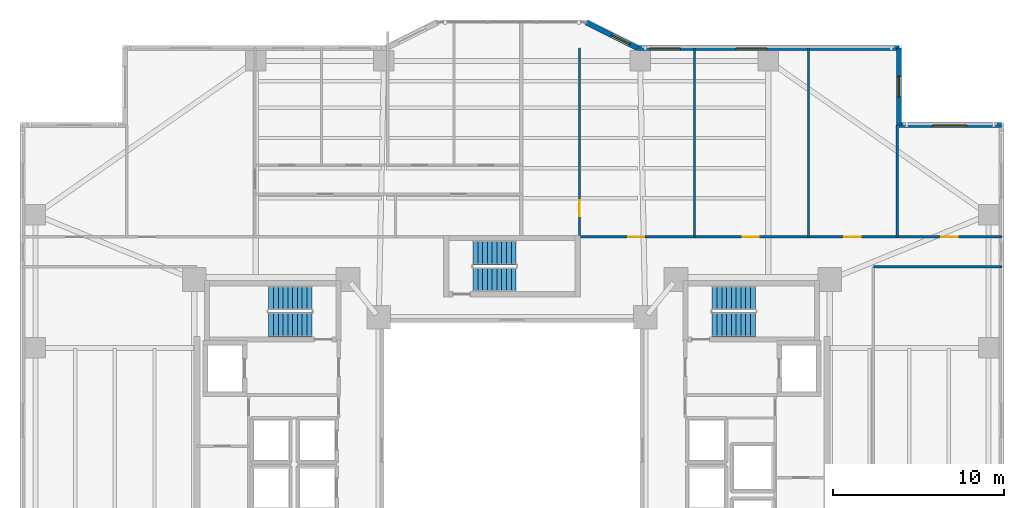
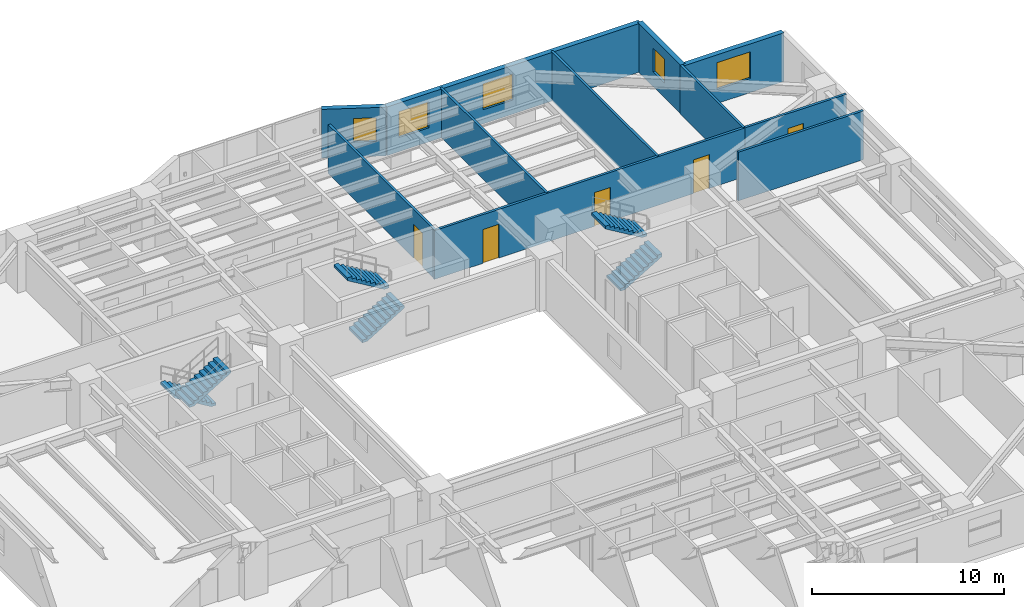
# One storey, part 14 of 19: 11 walls, 6 stair flights, 5 doors, 5 windows, 10 openings, 3 elements without a shape of their own.
"""IFC4 building model written with IfcOpenShell, lengths in metres."""

from ifc_helpers import new_model, si_unit, direction, frame, frame_2d, origin, place, context, subcontext, project, spatial, polyline, rectangle, outline, extrude, material, layer, layer_set, type_object, element, fill, aggregate, save


model = new_model("IFC4")

# Units and contexts
model_context = context("Model", 3, precision=1e-05, world=origin(), true_north=direction((0.0, 1.0)))
body_context = subcontext(model_context, "Body", "Model", "MODEL_VIEW")
ifc_project = project(units=[si_unit("LENGTHUNIT", "METRE"), si_unit("AREAUNIT", "SQUARE_METRE"), si_unit("VOLUMEUNIT", "CUBIC_METRE"), si_unit("PLANEANGLEUNIT", "RADIAN"), si_unit("MASSUNIT", "GRAM", prefix="KILO")], contexts=[model_context])

# Site, building, storey
site_placement = place(None, origin())
site = spatial("IfcSite", under=ifc_project, at=site_placement, CompositionType="ELEMENT")
building_placement = place(site_placement, origin())
building = spatial("IfcBuilding", under=site, at=building_placement, Name="Tarnavaz Court Tower", CompositionType="ELEMENT")
storey_placement = place(building_placement, frame((0.0, 0.0, 50.800048828125)))
storey = spatial("IfcBuildingStorey", under=building, at=storey_placement, Name="L13", CompositionType="ELEMENT", Elevation=50.800048828125)

# Wall, opening, window
ifc_material_1 = material(Name="Precast Concrete C40/50", Category="concrete")
ifc_layer_1 = layer(ifc_material_1, 0.300048828125)
ifc_layer_set_1 = layer_set([ifc_layer_1], Name="Precast Concrete C40/50")
wall_type_1 = type_object("IfcWallType", Name="WL-EXT-300", PredefinedType="SOLIDWALL", material=ifc_layer_set_1)
wall_1_placement = place(storey_placement, frame((4.35009765625, 25.050048828125, 0.0), z_axis=(0.0, 0.0, 1.0), x_axis=(0.894427191, -0.4472135955, 0.0)))
wall_1 = element("IfcWall", 1, at=wall_1_placement, inside=storey, type_object=wall_type_1, Name="L13 Exterior Terracotta Facade Wall 08", PredefinedType="SOLIDWALL", context=body_context, shape_type="SweptSolid", body=[
    extrude(rectangle(XDim=3.35400390625, YDim=0.300048828125, at=frame_2d((1.677001953125, 0.0))), origin(), (0.0, 0.0, 1.0), 3.099853515625),
])
opening_1_placement = place(wall_1_placement, frame((1.65283203125, 0.0, 0.949951171875)))
opening_1 = element("IfcOpeningElement", 2, at=opening_1_placement, cuts=wall_1, Name="Opening W05", PredefinedType="OPENING", context=body_context, shape_type="SweptSolid", body=[
    extrude(rectangle(XDim=1.199951171875, YDim=1.5, at=frame_2d((0.60009765625, 0.75))), frame((0.0, 0.159912109375, 0.0), z_axis=(0.0, -1.0, 0.0), x_axis=(1.0, 0.0, 0.0)), (0.0, 0.0, 1.0), 0.320068359375),
])
ifc_material_2 = material(Name="Double-Glazed Solar Low-E Glass", Category="glass")
window_type_1 = type_object("IfcWindowType", Name="WN-APT-1200", PartitioningType="SINGLE_PANEL", PredefinedType="WINDOW", material=ifc_material_2)
window_1_placement = place(opening_1_placement, origin())
window_1 = element("IfcWindow", 3, at=window_1_placement, inside=storey, type_object=window_type_1, Name="L13 Resident Community Meeting Room Window", OverallHeight=1.5, OverallWidth=1.199951171875, PartitioningType="SINGLE_PANEL", PredefinedType="WINDOW", context=body_context, shape_type="SweptSolid", body=[
    extrude(rectangle(XDim=1.199951171875, YDim=1.5, at=frame_2d((0.60009765625, 0.75))), frame((0.0, 0.030029296875, 0.0), z_axis=(0.0, -1.0, 0.0), x_axis=(1.0, 0.0, 0.0)), (0.0, 0.0, 1.0), 0.06005859375),
])
fill(opening_1, window_1)

# Wall, openings, windows
wall_2_placement = place(storey_placement, frame((7.35009765625, 23.550048828125, 0.0), z_axis=(0.0, 0.0, 1.0), x_axis=(1.0, 0.0, 0.0)))
wall_2 = element("IfcWall", 4, at=wall_2_placement, inside=storey, type_object=wall_type_1, Name="L13 Exterior Terracotta Facade Wall 09", PredefinedType="SOLIDWALL", context=body_context, shape_type="SweptSolid", body=[
    extrude(rectangle(XDim=15.2998046875, YDim=0.300048828125, at=frame_2d((7.64990234375, 0.0))), origin(), (0.0, 0.0, 1.0), 3.099853515625),
])
opening_2_placement = place(wall_2_placement, frame((0.705078125, 0.0, 0.89990234375)))
opening_2 = element("IfcOpeningElement", 5, at=opening_2_placement, cuts=wall_2, Name="Opening W01", PredefinedType="OPENING", context=body_context, shape_type="SweptSolid", body=[
    extrude(rectangle(XDim=1.800048828125, YDim=1.64990234375, at=frame_2d((0.89990234375, 0.824951171875))), frame((0.0, 0.159912109375, 0.0), z_axis=(0.0, -1.0, 0.0), x_axis=(1.0, 0.0, 0.0)), (0.0, 0.0, 1.0), 0.320068359375),
])
opening_3_placement = place(wall_2_placement, frame((5.771728515625, 0.0, 0.89990234375)))
opening_3 = element("IfcOpeningElement", 6, at=opening_3_placement, cuts=wall_2, Name="Opening W01", PredefinedType="OPENING", context=body_context, shape_type="SweptSolid", body=[
    extrude(rectangle(XDim=1.800048828125, YDim=1.64990234375, at=frame_2d((0.89990234375, 0.824951171875))), frame((0.0, 0.159912109375, 0.0), z_axis=(0.0, -1.0, 0.0), x_axis=(1.0, 0.0, 0.0)), (0.0, 0.0, 1.0), 0.320068359375),
])
window_type_2 = type_object("IfcWindowType", Name="WN-APT-1800", PartitioningType="DOUBLE_PANEL_VERTICAL", PredefinedType="WINDOW", material=ifc_material_2)
window_2_placement = place(opening_2_placement, origin())
window_2 = element("IfcWindow", 7, at=window_2_placement, inside=storey, type_object=window_type_2, Name="L13 Resident Community Meeting Room Window", OverallHeight=1.64990234375, OverallWidth=1.800048828125, PartitioningType="SINGLE_PANEL", PredefinedType="WINDOW", context=body_context, shape_type="SweptSolid", body=[
    extrude(rectangle(XDim=1.800048828125, YDim=1.64990234375, at=frame_2d((0.89990234375, 0.824951171875))), frame((0.0, 0.030029296875, 0.0), z_axis=(0.0, -1.0, 0.0), x_axis=(1.0, 0.0, 0.0)), (0.0, 0.0, 1.0), 0.06005859375),
])
fill(opening_2, window_2)
window_3_placement = place(opening_3_placement, origin())
window_3 = element("IfcWindow", 8, at=window_3_placement, inside=storey, type_object=window_type_2, Name="L13 Craft and Maker Workshop Room Window", OverallHeight=1.64990234375, OverallWidth=1.800048828125, PartitioningType="SINGLE_PANEL", PredefinedType="WINDOW", context=body_context, shape_type="SweptSolid", body=[
    extrude(rectangle(XDim=1.800048828125, YDim=1.64990234375, at=frame_2d((0.89990234375, 0.824951171875))), frame((0.0, 0.030029296875, 0.0), z_axis=(0.0, -1.0, 0.0), x_axis=(1.0, 0.0, 0.0)), (0.0, 0.0, 1.0), 0.06005859375),
])
fill(opening_3, window_3)

# Wall, opening, window
wall_3_placement = place(storey_placement, frame((22.64990234375, 23.550048828125, 0.0), z_axis=(0.0, 0.0, 1.0), x_axis=(0.0, -1.0, 0.0)))
wall_3 = element("IfcWall", 9, at=wall_3_placement, inside=storey, type_object=wall_type_1, Name="L13 Exterior Terracotta Facade Wall 10", PredefinedType="SOLIDWALL", context=body_context, shape_type="SweptSolid", body=[
    extrude(rectangle(XDim=4.5, YDim=0.300048828125, at=frame_2d((2.25, 0.0))), origin(), (0.0, 0.0, 1.0), 3.099853515625),
])
opening_4_placement = place(wall_3_placement, frame((1.64990234375, 0.0, 0.949951171875)))
opening_4 = element("IfcOpeningElement", 10, at=opening_4_placement, cuts=wall_3, Name="Opening W05", PredefinedType="OPENING", context=body_context, shape_type="SweptSolid", body=[
    extrude(rectangle(XDim=1.199951171875, YDim=1.5, at=frame_2d((0.60009765625, 0.75))), frame((0.0, 0.159912109375, 0.0), z_axis=(0.0, -1.0, 0.0), x_axis=(1.0, 0.0, 0.0)), (0.0, 0.0, 1.0), 0.320068359375),
])
window_4_placement = place(opening_4_placement, origin())
window_4 = element("IfcWindow", 11, at=window_4_placement, inside=storey, type_object=window_type_1, Name="L13 Prow Cheek Bedroom Window 10", OverallHeight=1.5, OverallWidth=1.199951171875, PartitioningType="SINGLE_PANEL", PredefinedType="WINDOW", context=body_context, shape_type="SweptSolid", body=[
    extrude(rectangle(XDim=1.199951171875, YDim=1.5, at=frame_2d((0.60009765625, 0.75))), frame((0.0, 0.030029296875, 0.0), z_axis=(0.0, -1.0, 0.0), x_axis=(1.0, 0.0, 0.0)), (0.0, 0.0, 1.0), 0.06005859375),
])
fill(opening_4, window_4)

wall_4_placement = place(storey_placement, frame((22.64990234375, 19.050048828125, 0.0), z_axis=(0.0, 0.0, 1.0), x_axis=(1.0, 0.0, 0.0)))
wall_4 = element("IfcWall", 12, at=wall_4_placement, inside=storey, type_object=wall_type_1, Name="L13 Exterior Terracotta Facade Wall 11", PredefinedType="SOLIDWALL", context=body_context, shape_type="SweptSolid", body=[
    extrude(rectangle(XDim=6.0, YDim=0.300048828125, at=frame_2d((3.0, 0.0))), origin(), (0.0, 0.0, 1.0), 3.099853515625),
])
opening_5_placement = place(wall_4_placement, frame((1.97509765625, 0.0, 0.89990234375)))
opening_5 = element("IfcOpeningElement", 13, at=opening_5_placement, cuts=wall_4, Name="Opening W08", PredefinedType="OPENING", context=body_context, shape_type="SweptSolid", body=[
    extrude(rectangle(XDim=2.0, YDim=1.699951171875, at=frame_2d((1.0, 0.85009765625))), frame((0.0, 0.159912109375, 0.0), z_axis=(0.0, -1.0, 0.0), x_axis=(1.0, 0.0, 0.0)), (0.0, 0.0, 1.0), 0.320068359375),
])
window_type_3 = type_object("IfcWindowType", Name="WN-APT-2000", PartitioningType="DOUBLE_PANEL_VERTICAL", PredefinedType="WINDOW", material=ifc_material_2)
window_5_placement = place(opening_5_placement, origin())
window_5 = element("IfcWindow", 14, at=window_5_placement, inside=storey, type_object=window_type_3, Name="L13 North-East Corner Sunroom Study Window", OverallHeight=1.699951171875, OverallWidth=2.0, PartitioningType="SINGLE_PANEL", PredefinedType="WINDOW", context=body_context, shape_type="SweptSolid", body=[
    extrude(rectangle(XDim=2.0, YDim=1.699951171875, at=frame_2d((1.0, 0.85009765625))), frame((0.0, 0.030029296875, 0.0), z_axis=(0.0, -1.0, 0.0), x_axis=(1.0, 0.0, 0.0)), (0.0, 0.0, 1.0), 0.06005859375),
])
fill(opening_5, window_5)

# Wall, openings, doors
ifc_material_3 = material(Name="Gypsum Fire-Board on Acoustic Metal Stud", Category="masonry")
ifc_layer_2 = layer(ifc_material_3, 0.14990234375)
ifc_layer_set_2 = layer_set([ifc_layer_2], Name="Gypsum Fire-Board on Acoustic Metal Stud")
wall_type_2 = type_object("IfcWallType", Name="WL-FIRE-150", PredefinedType="PARTITIONING", material=ifc_layer_set_2)
wall_5_placement = place(storey_placement, frame((3.85009765625, 12.5, 0.0), z_axis=(0.0, 0.0, 1.0), x_axis=(1.0, 0.0, 0.0)))
wall_5 = element("IfcWall", 15, at=wall_5_placement, inside=storey, type_object=wall_type_2, Name="L13 NE Wing Corridor Wall 082", PredefinedType="PARTITIONING", context=body_context, shape_type="SweptSolid", body=[
    extrude(rectangle(XDim=18.699951171875, YDim=0.14990234375, at=frame_2d((9.35009765625, 0.0))), origin(), (0.0, 0.0, 1.0), 3.099853515625),
])
opening_6_placement = place(wall_5_placement, frame((2.94189453125, 0.0, 0.0)))
opening_6 = element("IfcOpeningElement", 16, at=opening_6_placement, cuts=wall_5, Name="Opening D13", PredefinedType="OPENING", context=body_context, shape_type="SweptSolid", body=[
    extrude(rectangle(XDim=0.949951171875, YDim=2.14990234375, at=frame_2d((0.47509765625, 1.074951171875))), frame((0.0, 0.0849609375, 0.0), z_axis=(0.0, -1.0, 0.0), x_axis=(1.0, 0.0, 0.0)), (0.0, 0.0, 1.0), 0.169921875),
])
opening_7_placement = place(wall_5_placement, frame((9.64697265625, 0.0, 0.0)))
opening_7 = element("IfcOpeningElement", 17, at=opening_7_placement, cuts=wall_5, Name="Opening D13", PredefinedType="OPENING", context=body_context, shape_type="SweptSolid", body=[
    extrude(rectangle(XDim=0.949951171875, YDim=2.14990234375, at=frame_2d((0.47509765625, 1.074951171875))), frame((0.0, 0.0849609375, 0.0), z_axis=(0.0, -1.0, 0.0), x_axis=(1.0, 0.0, 0.0)), (0.0, 0.0, 1.0), 0.169921875),
])
opening_8_placement = place(wall_5_placement, frame((15.610107421875, 0.0, 0.0)))
opening_8 = element("IfcOpeningElement", 18, at=opening_8_placement, cuts=wall_5, Name="Opening D13", PredefinedType="OPENING", context=body_context, shape_type="SweptSolid", body=[
    extrude(rectangle(XDim=0.949951171875, YDim=2.14990234375, at=frame_2d((0.47509765625, 1.074951171875))), frame((0.0, 0.0849609375, 0.0), z_axis=(0.0, -1.0, 0.0), x_axis=(1.0, 0.0, 0.0)), (0.0, 0.0, 1.0), 0.169921875),
])
ifc_material_4 = material(Name="Engineered Oak Timber", Category="wood")
door_type = type_object("IfcDoorType", Name="DR-INT-950", OperationType="NOTDEFINED", PredefinedType="DOOR", material=ifc_material_4)
door_1_placement = place(opening_6_placement, origin())
door_1 = element("IfcDoor", 19, at=door_1_placement, inside=storey, type_object=door_type, Name="L13 Resident Community Meeting Room Door", OperationType="SINGLE_SWING_LEFT", OverallHeight=2.14990234375, OverallWidth=0.949951171875, PredefinedType="DOOR", context=body_context, shape_type="SweptSolid", body=[
    extrude(rectangle(XDim=0.949951171875, YDim=2.14990234375, at=frame_2d((0.47509765625, 1.074951171875))), frame((0.0, 0.02490234375, 0.0), z_axis=(0.0, -1.0, 0.0), x_axis=(1.0, 0.0, 0.0)), (0.0, 0.0, 1.0), 0.050048828125),
])
fill(opening_6, door_1)
door_2_placement = place(opening_7_placement, origin())
door_2 = element("IfcDoor", 20, at=door_2_placement, inside=storey, type_object=door_type, Name="L13 Craft and Maker Workshop Room Door", OperationType="SINGLE_SWING_RIGHT", OverallHeight=2.14990234375, OverallWidth=0.949951171875, PredefinedType="DOOR", context=body_context, shape_type="SweptSolid", body=[
    extrude(rectangle(XDim=0.949951171875, YDim=2.14990234375, at=frame_2d((0.47509765625, 1.074951171875))), frame((0.0, 0.02490234375, 0.0), z_axis=(0.0, -1.0, 0.0), x_axis=(1.0, 0.0, 0.0)), (0.0, 0.0, 1.0), 0.050048828125),
])
fill(opening_7, door_2)
door_3_placement = place(opening_8_placement, origin())
door_3 = element("IfcDoor", 21, at=door_3_placement, inside=storey, type_object=door_type, Name="L13 Accessible Washroom WC Door", OperationType="SINGLE_SWING_LEFT", OverallHeight=2.14990234375, OverallWidth=0.949951171875, PredefinedType="DOOR", context=body_context, shape_type="SweptSolid", body=[
    extrude(rectangle(XDim=0.949951171875, YDim=2.14990234375, at=frame_2d((0.47509765625, 1.074951171875))), frame((0.0, 0.02490234375, 0.0), z_axis=(0.0, -1.0, 0.0), x_axis=(1.0, 0.0, 0.0)), (0.0, 0.0, 1.0), 0.050048828125),
])
fill(opening_8, door_3)

# Wall
wall_6_placement = place(storey_placement, frame((21.14990234375, 10.75, 0.0), z_axis=(0.0, 0.0, 1.0), x_axis=(1.0, 0.0, 0.0)))
element("IfcWall", 22, at=wall_6_placement, inside=storey, type_object=wall_type_2, Name="L13 Interior Partition 115", PredefinedType="PARTITIONING", context=body_context, shape_type="SweptSolid", body=[
    extrude(rectangle(XDim=7.530029296875, YDim=0.14990234375, at=frame_2d((3.76513671875, 0.0))), origin(), (0.0, 0.0, 1.0), 3.099853515625),
])

# Wall, opening, door
wall_7_placement = place(storey_placement, frame((22.550048828125, 12.5, 0.0), z_axis=(0.0, 0.0, 1.0), x_axis=(1.0, 0.0, 0.0)))
wall_7 = element("IfcWall", 23, at=wall_7_placement, inside=storey, type_object=wall_type_2, Name="L13 Interior Partition 121", PredefinedType="PARTITIONING", context=body_context, shape_type="SweptSolid", body=[
    extrude(rectangle(XDim=6.1298828125, YDim=0.14990234375, at=frame_2d((3.06494140625, 0.0))), origin(), (0.0, 0.0, 1.0), 3.099853515625),
])
opening_9_placement = place(wall_7_placement, frame((2.590087890625, 0.0, 0.0)))
opening_9 = element("IfcOpeningElement", 24, at=opening_9_placement, cuts=wall_7, Name="Opening D13", PredefinedType="OPENING", context=body_context, shape_type="SweptSolid", body=[
    extrude(rectangle(XDim=0.949951171875, YDim=2.14990234375, at=frame_2d((0.47509765625, 1.074951171875))), frame((0.0, 0.0849609375, 0.0), z_axis=(0.0, -1.0, 0.0), x_axis=(1.0, 0.0, 0.0)), (0.0, 0.0, 1.0), 0.169921875),
])
door_4_placement = place(opening_9_placement, origin())
door_4 = element("IfcDoor", 25, at=door_4_placement, inside=storey, type_object=door_type, Name="L13 NE Sunroom Door", OperationType="SINGLE_SWING_LEFT", OverallHeight=2.14990234375, OverallWidth=0.949951171875, PredefinedType="DOOR", context=body_context, shape_type="SweptSolid", body=[
    extrude(rectangle(XDim=0.949951171875, YDim=2.14990234375, at=frame_2d((0.47509765625, 1.074951171875))), frame((0.0, 0.02490234375, 0.0), z_axis=(0.0, -1.0, 0.0), x_axis=(1.0, 0.0, 0.0)), (0.0, 0.0, 1.0), 0.050048828125),
])
fill(opening_9, door_4)

ifc_material_5 = material(Name="Gypsum Plasterboard Acoustic Partition", Category="masonry")
ifc_layer_3 = layer(ifc_material_5, 0.139892578125)
ifc_layer_set_3 = layer_set([ifc_layer_3], Name="Gypsum Plasterboard Acoustic Partition")
wall_type_3 = type_object("IfcWallType", Name="WL-PART-150", PredefinedType="PARTITIONING", material=ifc_layer_set_3)
wall_8_placement = place(storey_placement, frame((3.949951171875, 12.5, 0.0), z_axis=(0.0, 0.0, 1.0), x_axis=(0.0, 1.0, 0.0)))
wall_8 = element("IfcWall", 26, at=wall_8_placement, inside=storey, type_object=wall_type_3, Name="L13 Interior Partition 096", PredefinedType="PARTITIONING", context=body_context, shape_type="SweptSolid", body=[
    extrude(rectangle(XDim=11.050048828125, YDim=0.139892578125, at=frame_2d((5.52490234375, 0.0))), origin(), (0.0, 0.0, 1.0), 3.099853515625),
])
opening_10_placement = place(wall_8_placement, frame((1.199951171875, 0.0, 0.0)))
opening_10 = element("IfcOpeningElement", 27, at=opening_10_placement, cuts=wall_8, Name="Opening D13", PredefinedType="OPENING", context=body_context, shape_type="SweptSolid", body=[
    extrude(rectangle(XDim=0.949951171875, YDim=2.14990234375, at=frame_2d((0.47509765625, 1.074951171875))), frame((0.0, 0.079833984375, 0.0), z_axis=(0.0, -1.0, 0.0), x_axis=(1.0, 0.0, 0.0)), (0.0, 0.0, 1.0), 0.159912109375),
])
door_5_placement = place(opening_10_placement, origin())
door_5 = element("IfcDoor", 28, at=door_5_placement, inside=storey, type_object=door_type, Name="L13 NE Iwan Reading Door", OperationType="SINGLE_SWING_RIGHT", OverallHeight=2.14990234375, OverallWidth=0.949951171875, PredefinedType="DOOR", context=body_context, shape_type="SweptSolid", body=[
    extrude(rectangle(XDim=0.949951171875, YDim=2.14990234375, at=frame_2d((0.47509765625, 1.074951171875))), frame((0.0, 0.02490234375, 0.0), z_axis=(0.0, -1.0, 0.0), x_axis=(1.0, 0.0, 0.0)), (0.0, 0.0, 1.0), 0.050048828125),
])
fill(opening_10, door_5)

# Walls
for number, where, z_axis, x_axis, name in (
    (29, (10.68408203125, 12.5, 0.0), (0.0, 0.0, 1.0), (0.0, 1.0, 0.0), "L13 Interior Partition 097"),
    (30, (17.35888671875, 12.5, 0.0), (0.0, 0.0, 1.0), (0.0, 1.0, 0.0), "L13 Interior Partition 098"),
):
    element("IfcWall", number, at=place(storey_placement, frame(where, z_axis=z_axis, x_axis=x_axis)), inside=storey, type_object=wall_type_3, Name=name, PredefinedType="PARTITIONING", context=body_context, shape_type="SweptSolid", body=[
        extrude(rectangle(XDim=11.050048828125, YDim=0.139892578125, at=frame_2d((5.52490234375, 0.0))), origin(), (0.0, 0.0, 1.0), 3.099853515625),
    ])
wall_9_placement = place(storey_placement, frame((22.550048828125, 12.5, 0.0), z_axis=(0.0, 0.0, 1.0), x_axis=(0.0, 1.0, 0.0)))
element("IfcWall", 31, at=wall_9_placement, inside=storey, type_object=wall_type_3, Name="L13 Interior Partition 119", PredefinedType="PARTITIONING", context=body_context, shape_type="SweptSolid", body=[
    extrude(rectangle(XDim=6.550048828125, YDim=0.139892578125, at=frame_2d((3.27490234375, 0.0))), origin(), (0.0, 0.0, 1.0), 3.099853515625),
])

# Stair, stair flights
ifc_material_6 = material(Name="Concrete C40/50", Category="concrete")
stair_type = type_object("IfcStairType", Name="ST-TWR-20R", PredefinedType="HALF_TURN_STAIR", material=ifc_material_6)
stair_1_placement = place(storey_placement, origin())
stair_1 = element("IfcStair", 32, at=stair_1_placement, inside=storey, type_object=stair_type, Name="L13 West Core Pressurized Exit Stair ST-W1", PredefinedType="HALF_TURN_STAIR")
stair_flight_type = type_object("IfcStairFlightType", Name="SFL-RC-20R", PredefinedType="STRAIGHT", material=ifc_material_6)
stair_flight_1_placement = place(storey_placement, frame((-11.719970703125, 8.929931640625, 0.0), z_axis=(0.0, 0.0, 1.0), x_axis=(-1.0, 0.0, 0.0)))
stair_flight_1 = element("IfcStairFlight", 33, at=stair_flight_1_placement, type_object=stair_flight_type, Name="ST-W1 flight 1", NumberOfRisers=10, NumberOfTreads=9, PredefinedType="STRAIGHT", RiserHeight=0.1675, TreadLength=0.28, context=body_context, shape_type="SweptSolid", body=[
    extrude(outline(polyline([(0.0, 0.0), (0.0, 0.16748046875), (0.280029296875, 0.16748046875), (0.280029296875, 0.3349609375), (0.56005859375, 0.3349609375), (0.56005859375, 0.50244140625), (0.840087890625, 0.50244140625), (0.840087890625, 0.669921875), (1.1201171875, 0.669921875), (1.1201171875, 0.83740234375), (1.39990234375, 0.83740234375), (1.39990234375, 1.0048828125), (1.679931640625, 1.0048828125), (1.679931640625, 1.172607421875), (1.9599609375, 1.172607421875), (1.9599609375, 1.340087890625), (2.239990234375, 1.340087890625), (2.239990234375, 1.507568359375), (2.52001953125, 1.507568359375), (2.52001953125, 1.675048828125), (2.52001953125, 1.332763671875), (0.2919921875, 0.0), (0.0, 0.0)])), frame((0.0, 0.7099609375, 0.0), z_axis=(0.0, -1.0, 0.0), x_axis=(1.0, 0.0, 0.0)), (0.0, 0.0, 1.0), 1.419921875),
])
stair_flight_2_placement = place(storey_placement, frame((-14.239990234375, 7.360107421875, 1.675048828125), z_axis=(0.0, 0.0, 1.0), x_axis=(1.0, 0.0, 0.0)))
stair_flight_2 = element("IfcStairFlight", 34, at=stair_flight_2_placement, type_object=stair_flight_type, Name="ST-W1 flight 2", NumberOfRisers=10, NumberOfTreads=9, PredefinedType="STRAIGHT", RiserHeight=0.1675, TreadLength=0.28, context=body_context, shape_type="SweptSolid", body=[
    extrude(outline(polyline([(0.0, 0.0), (0.0, 0.16748046875), (0.280029296875, 0.16748046875), (0.280029296875, 0.3349609375), (0.56005859375, 0.3349609375), (0.56005859375, 0.50244140625), (0.840087890625, 0.50244140625), (0.840087890625, 0.669921875), (1.1201171875, 0.669921875), (1.1201171875, 0.83740234375), (1.39990234375, 0.83740234375), (1.39990234375, 1.0048828125), (1.679931640625, 1.0048828125), (1.679931640625, 1.172607421875), (1.9599609375, 1.172607421875), (1.9599609375, 1.340087890625), (2.239990234375, 1.340087890625), (2.239990234375, 1.507568359375), (2.52001953125, 1.507568359375), (2.52001953125, 1.675048828125), (2.52001953125, 1.332763671875), (0.2919921875, 0.0), (0.0, 0.0)])), frame((0.0, 0.7099609375, 0.0), z_axis=(0.0, -1.0, 0.0), x_axis=(1.0, 0.0, 0.0)), (0.0, 0.0, 1.0), 1.419921875),
])
aggregate(stair_1, [stair_flight_1, stair_flight_2])

stair_2_placement = place(storey_placement, origin())
stair_2 = element("IfcStair", 35, at=stair_2_placement, inside=storey, type_object=stair_type, Name="L13 East Core Pressurized Exit Stair ST-E1", PredefinedType="HALF_TURN_STAIR")
stair_flight_3_placement = place(storey_placement, frame((11.719970703125, 7.360107421875, 0.0), z_axis=(0.0, 0.0, 1.0), x_axis=(1.0, 0.0, 0.0)))
stair_flight_3 = element("IfcStairFlight", 36, at=stair_flight_3_placement, type_object=stair_flight_type, Name="ST-E1 flight 1", NumberOfRisers=10, NumberOfTreads=9, PredefinedType="STRAIGHT", RiserHeight=0.1675, TreadLength=0.28, context=body_context, shape_type="SweptSolid", body=[
    extrude(outline(polyline([(0.0, 0.0), (0.0, 0.16748046875), (0.280029296875, 0.16748046875), (0.280029296875, 0.3349609375), (0.56005859375, 0.3349609375), (0.56005859375, 0.50244140625), (0.840087890625, 0.50244140625), (0.840087890625, 0.669921875), (1.1201171875, 0.669921875), (1.1201171875, 0.83740234375), (1.39990234375, 0.83740234375), (1.39990234375, 1.0048828125), (1.679931640625, 1.0048828125), (1.679931640625, 1.172607421875), (1.9599609375, 1.172607421875), (1.9599609375, 1.340087890625), (2.239990234375, 1.340087890625), (2.239990234375, 1.507568359375), (2.52001953125, 1.507568359375), (2.52001953125, 1.675048828125), (2.52001953125, 1.332763671875), (0.2919921875, 0.0), (0.0, 0.0)])), frame((0.0, 0.7099609375, 0.0), z_axis=(0.0, -1.0, 0.0), x_axis=(1.0, 0.0, 0.0)), (0.0, 0.0, 1.0), 1.419921875),
])
stair_flight_4_placement = place(storey_placement, frame((14.239990234375, 8.929931640625, 1.675048828125), z_axis=(0.0, 0.0, 1.0), x_axis=(-1.0, 0.0, 0.0)))
stair_flight_4 = element("IfcStairFlight", 37, at=stair_flight_4_placement, type_object=stair_flight_type, Name="ST-E1 flight 2", NumberOfRisers=10, NumberOfTreads=9, PredefinedType="STRAIGHT", RiserHeight=0.1675, TreadLength=0.28, context=body_context, shape_type="SweptSolid", body=[
    extrude(outline(polyline([(0.0, 0.0), (0.0, 0.16748046875), (0.280029296875, 0.16748046875), (0.280029296875, 0.3349609375), (0.56005859375, 0.3349609375), (0.56005859375, 0.50244140625), (0.840087890625, 0.50244140625), (0.840087890625, 0.669921875), (1.1201171875, 0.669921875), (1.1201171875, 0.83740234375), (1.39990234375, 0.83740234375), (1.39990234375, 1.0048828125), (1.679931640625, 1.0048828125), (1.679931640625, 1.172607421875), (1.9599609375, 1.172607421875), (1.9599609375, 1.340087890625), (2.239990234375, 1.340087890625), (2.239990234375, 1.507568359375), (2.52001953125, 1.507568359375), (2.52001953125, 1.675048828125), (2.52001953125, 1.332763671875), (0.2919921875, 0.0), (0.0, 0.0)])), frame((0.0, 0.7099609375, 0.0), z_axis=(0.0, -1.0, 0.0), x_axis=(1.0, 0.0, 0.0)), (0.0, 0.0, 1.0), 1.419921875),
])
aggregate(stair_2, [stair_flight_3, stair_flight_4])

stair_3_placement = place(storey_placement, origin())
stair_3 = element("IfcStair", 38, at=stair_3_placement, inside=storey, type_object=stair_type, Name="L13 North Ring Pressurized Exit Stair ST-N1", PredefinedType="HALF_TURN_STAIR")
stair_flight_5_placement = place(storey_placement, frame((-2.280029296875, 10.010009765625, 0.0), z_axis=(0.0, 0.0, 1.0), x_axis=(1.0, 0.0, 0.0)))
stair_flight_5 = element("IfcStairFlight", 39, at=stair_flight_5_placement, type_object=stair_flight_type, Name="ST-N1 flight 1", NumberOfRisers=10, NumberOfTreads=9, PredefinedType="STRAIGHT", RiserHeight=0.1675, TreadLength=0.28, context=body_context, shape_type="SweptSolid", body=[
    extrude(outline(polyline([(0.0, 0.0), (0.0, 0.16748046875), (0.280029296875, 0.16748046875), (0.280029296875, 0.3349609375), (0.56005859375, 0.3349609375), (0.56005859375, 0.50244140625), (0.840087890625, 0.50244140625), (0.840087890625, 0.669921875), (1.1201171875, 0.669921875), (1.1201171875, 0.83740234375), (1.39990234375, 0.83740234375), (1.39990234375, 1.0048828125), (1.679931640625, 1.0048828125), (1.679931640625, 1.172607421875), (1.9599609375, 1.172607421875), (1.9599609375, 1.340087890625), (2.239990234375, 1.340087890625), (2.239990234375, 1.507568359375), (2.52001953125, 1.507568359375), (2.52001953125, 1.675048828125), (2.52001953125, 1.332763671875), (0.2919921875, 0.0), (0.0, 0.0)])), frame((0.0, 0.7099609375, 0.0), z_axis=(0.0, -1.0, 0.0), x_axis=(1.0, 0.0, 0.0)), (0.0, 0.0, 1.0), 1.419921875),
])
stair_flight_6_placement = place(storey_placement, frame((0.239990234375, 11.580078125, 1.675048828125), z_axis=(0.0, 0.0, 1.0), x_axis=(-1.0, 0.0, 0.0)))
stair_flight_6 = element("IfcStairFlight", 40, at=stair_flight_6_placement, type_object=stair_flight_type, Name="ST-N1 flight 2", NumberOfRisers=10, NumberOfTreads=9, PredefinedType="STRAIGHT", RiserHeight=0.1675, TreadLength=0.28, context=body_context, shape_type="SweptSolid", body=[
    extrude(outline(polyline([(0.0, 0.0), (0.0, 0.16748046875), (0.280029296875, 0.16748046875), (0.280029296875, 0.3349609375), (0.56005859375, 0.3349609375), (0.56005859375, 0.50244140625), (0.840087890625, 0.50244140625), (0.840087890625, 0.669921875), (1.1201171875, 0.669921875), (1.1201171875, 0.83740234375), (1.39990234375, 0.83740234375), (1.39990234375, 1.0048828125), (1.679931640625, 1.0048828125), (1.679931640625, 1.172607421875), (1.9599609375, 1.172607421875), (1.9599609375, 1.340087890625), (2.239990234375, 1.340087890625), (2.239990234375, 1.507568359375), (2.52001953125, 1.507568359375), (2.52001953125, 1.675048828125), (2.52001953125, 1.332763671875), (0.2919921875, 0.0), (0.0, 0.0)])), frame((0.0, 0.7099609375, 0.0), z_axis=(0.0, -1.0, 0.0), x_axis=(1.0, 0.0, 0.0)), (0.0, 0.0, 1.0), 1.419921875),
])
aggregate(stair_3, [stair_flight_5, stair_flight_6])

save(model, "model.ifc")
